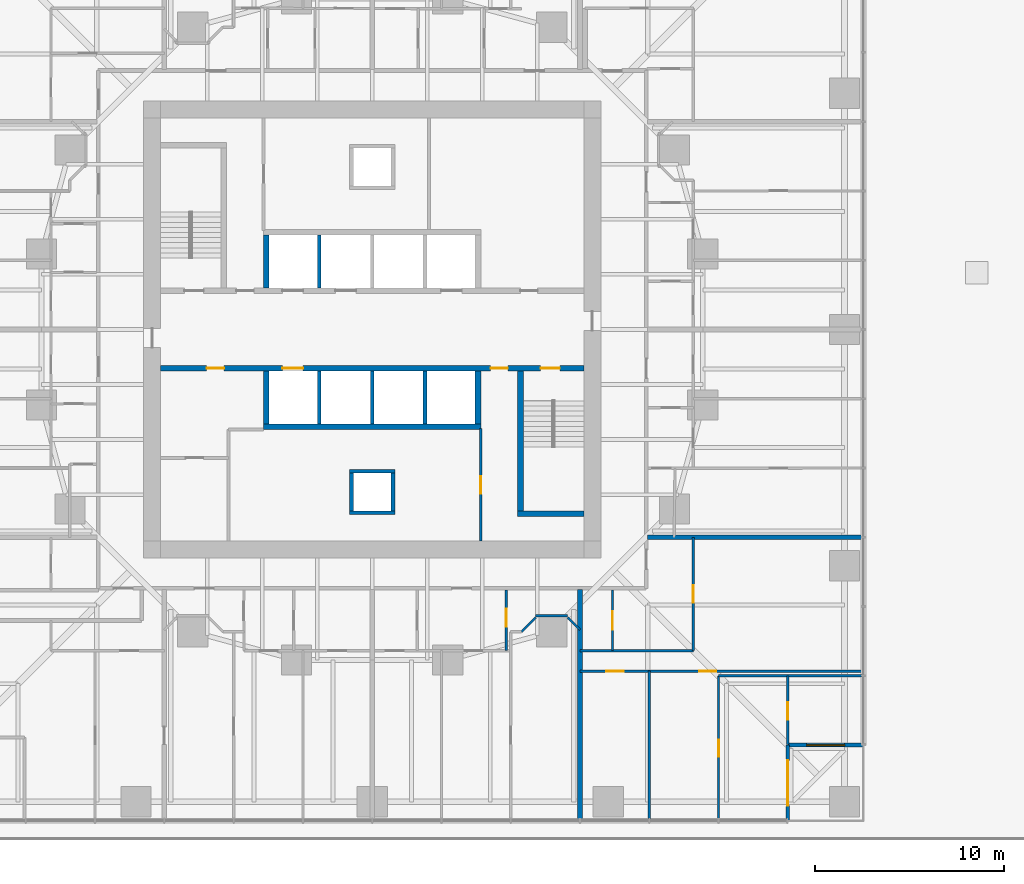
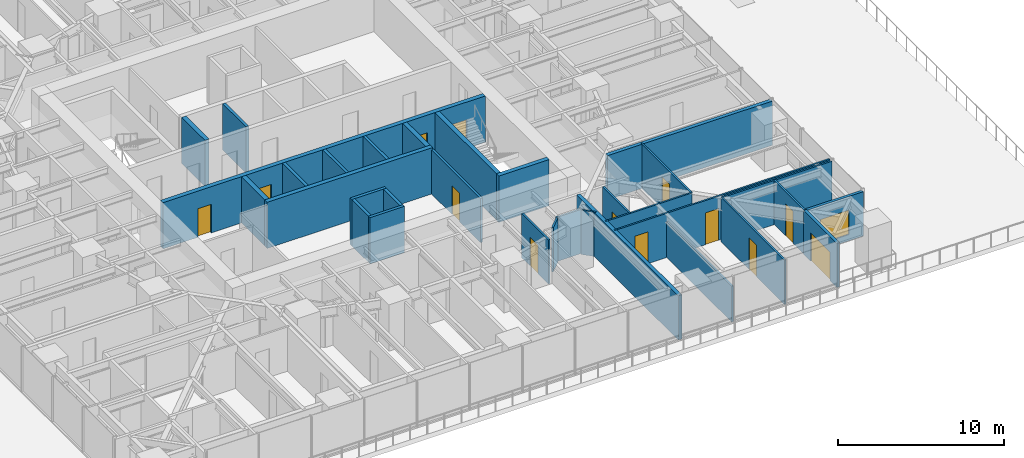
# One storey, part 9 of 15: 32 walls, 13 doors, 1 window, 14 openings.
"""IFC4 building model written with IfcOpenShell, lengths in metres."""

from ifc_helpers import new_model, si_unit, direction, frame, frame_2d, origin, place, context, subcontext, project, spatial, rectangle, extrude, material, layer, layer_set, type_object, element, fill, save


model = new_model("IFC4")

# Units and contexts
model_context = context("Model", 3, precision=1e-05, world=origin(), true_north=direction((0.0, 1.0)))
body_context = subcontext(model_context, "Body", "Model", "MODEL_VIEW")
ifc_project = project(units=[si_unit("LENGTHUNIT", "METRE"), si_unit("AREAUNIT", "SQUARE_METRE"), si_unit("VOLUMEUNIT", "CUBIC_METRE"), si_unit("PLANEANGLEUNIT", "RADIAN"), si_unit("MASSUNIT", "GRAM", prefix="KILO")], contexts=[model_context])

# Site, building, storey
site_placement = place(None, origin())
site = spatial("IfcSite", under=ifc_project, at=site_placement, CompositionType="ELEMENT")
building_placement = place(site_placement, origin())
building = spatial("IfcBuilding", under=site, at=building_placement, Name="Torsade Residences", CompositionType="ELEMENT")
storey_placement = place(building_placement, frame((0.0, 0.0, 15.0)))
storey = spatial("IfcBuildingStorey", under=building, at=storey_placement, Name="L03", CompositionType="ELEMENT", Elevation=15.0)

# Wall, openings, doors
ifc_material_1 = material(Name="Concrete 80 MPa", Category="concrete")
ifc_layer_1 = layer(ifc_material_1, 0.300048828125)
ifc_layer_set_1 = layer_set([ifc_layer_1], Name="Concrete 80 MPa")
wall_type_1 = type_object("IfcWallType", Name="CORE INTERNAL WALL 300", PredefinedType="SHEAR", material=ifc_layer_set_1)
wall_1_placement = place(storey_placement, frame((51.199951171875, 27.949951171875, 0.0), z_axis=(0.0, 0.0, 1.0), x_axis=(-1.0, 0.0, 0.0)))
wall_1 = element("IfcWall", 1, at=wall_1_placement, inside=storey, type_object=wall_type_1, Name="Core wall LS L03", PredefinedType="SHEAR", context=body_context, shape_type="SweptSolid", body=[
    extrude(rectangle(XDim=22.39990234375, YDim=0.300048828125, at=frame_2d((11.199951171875, 0.0))), origin(), (0.0, 0.0, 1.0), 3.39990234375),
])
opening_1_placement = place(wall_1_placement, frame((19.0400390625, 0.0, 0.0)))
opening_1 = element("IfcOpeningElement", 2, at=opening_1_placement, cuts=wall_1, Name="Opening D06", PredefinedType="OPENING", context=body_context, shape_type="SweptSolid", body=[
    extrude(rectangle(XDim=0.919921875, YDim=2.10009765625, at=frame_2d((0.4599609375, 1.050048828125))), frame((0.0, 0.159912109375, 0.0), z_axis=(0.0, -1.0, 0.0), x_axis=(1.0, 0.0, 0.0)), (0.0, 0.0, 1.0), 0.320068359375),
])
opening_2_placement = place(wall_1_placement, frame((1.264892578125, 0.0, 0.0)))
opening_2 = element("IfcOpeningElement", 3, at=opening_2_placement, cuts=wall_1, Name="Opening D03", PredefinedType="OPENING", context=body_context, shape_type="SweptSolid", body=[
    extrude(rectangle(XDim=1.02001953125, YDim=2.10009765625, at=frame_2d((0.510009765625, 1.050048828125))), frame((0.0, 0.159912109375, 0.0), z_axis=(0.0, -1.0, 0.0), x_axis=(1.0, 0.0, 0.0)), (0.0, 0.0, 1.0), 0.320068359375),
])
opening_3_placement = place(wall_1_placement, frame((4.014892578125, 0.0, 0.0)))
opening_3 = element("IfcOpeningElement", 4, at=opening_3_placement, cuts=wall_1, Name="Opening D06", PredefinedType="OPENING", context=body_context, shape_type="SweptSolid", body=[
    extrude(rectangle(XDim=0.919921875, YDim=2.10009765625, at=frame_2d((0.4599609375, 1.050048828125))), frame((0.0, 0.159912109375, 0.0), z_axis=(0.0, -1.0, 0.0), x_axis=(1.0, 0.0, 0.0)), (0.0, 0.0, 1.0), 0.320068359375),
])
opening_4_placement = place(wall_1_placement, frame((14.85009765625, 0.0, 0.0)))
opening_4 = element("IfcOpeningElement", 5, at=opening_4_placement, cuts=wall_1, Name="Opening LD", PredefinedType="OPENING", context=body_context, shape_type="SweptSolid", body=[
    extrude(rectangle(XDim=1.10009765625, YDim=2.10009765625, at=frame_2d((0.550048828125, 1.050048828125))), frame((0.0, 0.159912109375, 0.0), z_axis=(0.0, -1.0, 0.0), x_axis=(1.0, 0.0, 0.0)), (0.0, 0.0, 1.0), 0.320068359375),
])
ifc_material_2 = material(Name="Steel-framed fire door", Category="steel")
door_type_1 = type_object("IfcDoorType", Name="FIRE DOOR 1020", OperationType="NOTDEFINED", PredefinedType="DOOR", material=ifc_material_2)
door_1_placement = place(opening_2_placement, origin())
door_1 = element("IfcDoor", 6, at=door_1_placement, inside=storey, type_object=door_type_1, Name="Exit door to fire-isolated stair ST2 L03", OperationType="SINGLE_SWING_RIGHT", OverallHeight=2.10009765625, OverallWidth=1.02001953125, PredefinedType="DOOR", context=body_context, shape_type="SweptSolid", body=[
    extrude(rectangle(XDim=1.02001953125, YDim=2.10009765625, at=frame_2d((0.510009765625, 1.050048828125))), frame((0.0, 0.02490234375, 0.0), z_axis=(0.0, -1.0, 0.0), x_axis=(1.0, 0.0, 0.0)), (0.0, 0.0, 1.0), 0.050048828125),
])
fill(opening_2, door_1)
ifc_material_3 = material(Name="Steel-framed fire door", Category="steel")
door_type_2 = type_object("IfcDoorType", Name="FIRE DOOR 920", OperationType="NOTDEFINED", PredefinedType="DOOR", material=ifc_material_3)
door_2_placement = place(opening_1_placement, origin())
door_2 = element("IfcDoor", 7, at=door_2_placement, inside=storey, type_object=door_type_2, Name="Door Lift lobby to Cleaner store", OperationType="SINGLE_SWING_LEFT", OverallHeight=2.10009765625, OverallWidth=0.919921875, PredefinedType="DOOR", context=body_context, shape_type="SweptSolid", body=[
    extrude(rectangle(XDim=0.919921875, YDim=2.10009765625, at=frame_2d((0.4599609375, 1.050048828125))), frame((0.0, 0.02490234375, 0.0), z_axis=(0.0, -1.0, 0.0), x_axis=(1.0, 0.0, 0.0)), (0.0, 0.0, 1.0), 0.050048828125),
])
fill(opening_1, door_2)
door_3_placement = place(opening_3_placement, origin())
door_3 = element("IfcDoor", 8, at=door_3_placement, inside=storey, type_object=door_type_2, Name="Door Lift lobby to Security and data store", OperationType="SINGLE_SWING_RIGHT", OverallHeight=2.10009765625, OverallWidth=0.919921875, PredefinedType="DOOR", context=body_context, shape_type="SweptSolid", body=[
    extrude(rectangle(XDim=0.919921875, YDim=2.10009765625, at=frame_2d((0.4599609375, 1.050048828125))), frame((0.0, 0.02490234375, 0.0), z_axis=(0.0, -1.0, 0.0), x_axis=(1.0, 0.0, 0.0)), (0.0, 0.0, 1.0), 0.050048828125),
])
fill(opening_3, door_3)
ifc_material_4 = material(Name="Stainless steel lift landing door", Category="steel")
door_type_3 = type_object("IfcDoorType", Name="LIFT LANDING DOOR 1100", OperationType="SLIDING_TO_LEFT", PredefinedType="DOOR", material=ifc_material_4)
door_4_placement = place(opening_4_placement, origin())
door_4 = element("IfcDoor", 9, at=door_4_placement, inside=storey, type_object=door_type_3, Name="Lift FL2 landing door L03", OperationType="SLIDING_TO_LEFT", OverallHeight=2.10009765625, OverallWidth=1.10009765625, PredefinedType="DOOR", context=body_context, shape_type="SweptSolid", body=[
    extrude(rectangle(XDim=1.10009765625, YDim=2.10009765625, at=frame_2d((0.550048828125, 1.050048828125))), frame((0.0, 0.02490234375, 0.0), z_axis=(0.0, -1.0, 0.0), x_axis=(1.0, 0.0, 0.0)), (0.0, 0.0, 1.0), 0.050048828125),
])
fill(opening_4, door_4)

# Walls
wall_2_placement = place(storey_placement, frame((45.75, 24.85009765625, 0.0), z_axis=(0.0, 0.0, 1.0), x_axis=(-1.0, 0.0, 0.0)))
element("IfcWall", 10, at=wall_2_placement, inside=storey, type_object=wall_type_1, Name="Core wall BS L03", PredefinedType="SHEAR", context=body_context, shape_type="SweptSolid", body=[
    extrude(rectangle(XDim=11.5, YDim=0.300048828125, at=frame_2d((5.75, 0.0))), origin(), (0.0, 0.0, 1.0), 3.39990234375),
])
for number, where, z_axis, x_axis, name in (
    (11, (34.39990234375, 32.199951171875, 0.0), (0.0, 0.0, 1.0), (0.0, 1.0, 0.0), "Core wall DN0 L03"),
    (12, (45.60009765625, 27.800048828125, 0.0), (0.0, 0.0, 1.0), (0.0, -1.0, 0.0), "Core wall DS0 L03"),
    (13, (34.39990234375, 27.800048828125, 0.0), (0.0, 0.0, 1.0), (0.0, -1.0, 0.0), "Core wall DS4 L03"),
):
    element("IfcWall", number, at=place(storey_placement, frame(where, z_axis=z_axis, x_axis=x_axis)), inside=storey, type_object=wall_type_1, Name=name, PredefinedType="SHEAR", context=body_context, shape_type="SweptSolid", body=[
        extrude(rectangle(XDim=2.800048828125, YDim=0.300048828125, at=frame_2d((1.39990234375, 0.0))), origin(), (0.0, 0.0, 1.0), 3.39990234375),
    ])
wall_3_placement = place(storey_placement, frame((47.85009765625, 27.800048828125, 0.0), z_axis=(0.0, 0.0, 1.0), x_axis=(0.0, -1.0, 0.0)))
element("IfcWall", 14, at=wall_3_placement, inside=storey, type_object=wall_type_1, Name="Core wall ST2W L03", PredefinedType="SHEAR", context=body_context, shape_type="SweptSolid", body=[
    extrude(rectangle(XDim=7.699951171875, YDim=0.300048828125, at=frame_2d((3.85009765625, 0.0))), origin(), (0.0, 0.0, 1.0), 3.39990234375),
])
wall_4_placement = place(storey_placement, frame((51.199951171875, 20.25, 0.0), z_axis=(0.0, 0.0, 1.0), x_axis=(-1.0, 0.0, 0.0)))
element("IfcWall", 15, at=wall_4_placement, inside=storey, type_object=wall_type_1, Name="Core wall ST2S L03", PredefinedType="SHEAR", context=body_context, shape_type="SweptSolid", body=[
    extrude(rectangle(XDim=3.5, YDim=0.300048828125, at=frame_2d((1.75, 0.0))), origin(), (0.0, 0.0, 1.0), 3.39990234375),
])
ifc_material_5 = material(Name="Reinforced blockwork", Category="masonry")
ifc_layer_2 = layer(ifc_material_5, 0.199951171875)
ifc_layer_set_2 = layer_set([ifc_layer_2], Name="Reinforced blockwork")
wall_type_2 = type_object("IfcWallType", Name="LIFT SHAFT DIVIDING WALL 200", PredefinedType="SOLIDWALL", material=ifc_layer_set_2)
for number, where, z_axis, x_axis, name in (
    (16, (37.199951171875, 32.199951171875, 0.0), (0.0, 0.0, 1.0), (0.0, 1.0, 0.0), "Core wall DN1 L03"),
    (17, (42.800048828125, 27.800048828125, 0.0), (0.0, 0.0, 1.0), (0.0, -1.0, 0.0), "Core wall DS1 L03"),
    (18, (40.0, 27.800048828125, 0.0), (0.0, 0.0, 1.0), (0.0, -1.0, 0.0), "Core wall DS2 L03"),
    (19, (37.199951171875, 27.800048828125, 0.0), (0.0, 0.0, 1.0), (0.0, -1.0, 0.0), "Core wall DS3 L03"),
):
    element("IfcWall", number, at=place(storey_placement, frame(where, z_axis=z_axis, x_axis=x_axis)), inside=storey, type_object=wall_type_2, Name=name, PredefinedType="SOLIDWALL", context=body_context, shape_type="SweptSolid", body=[
        extrude(rectangle(XDim=2.800048828125, YDim=0.199951171875, at=frame_2d((1.39990234375, 0.0))), origin(), (0.0, 0.0, 1.0), 3.39990234375),
    ])

# Wall, opening, door
ifc_material_6 = material(Name="Plasterboard on steel stud", Category="steel")
ifc_layer_3 = layer(ifc_material_6, 0.1201171875)
ifc_layer_set_3 = layer_set([ifc_layer_3], Name="Plasterboard on steel stud")
wall_type_3 = type_object("IfcWallType", Name="PARTITION 120", PredefinedType="PARTITIONING", material=ifc_layer_set_3)
wall_5_placement = place(storey_placement, frame((47.09765625, 16.199951171875, 0.0), z_axis=(0.0, 0.0, 1.0), x_axis=(0.0, -1.0, 0.0)))
wall_5 = element("IfcWall", 20, at=wall_5_placement, inside=storey, type_object=wall_type_3, Name="Partition L03", PredefinedType="PARTITIONING", context=body_context, shape_type="SweptSolid", body=[
    extrude(rectangle(XDim=3.199951171875, YDim=0.1201171875, at=frame_2d((1.60009765625, 0.0))), origin(), (0.0, 0.0, 1.0), 3.25),
])
opening_5_placement = place(wall_5_placement, frame((0.969970703125, 0.0, 0.0)))
opening_5 = element("IfcOpeningElement", 21, at=opening_5_placement, cuts=wall_5, Name="Opening D05", PredefinedType="OPENING", context=body_context, shape_type="SweptSolid", body=[
    extrude(rectangle(XDim=0.9599609375, YDim=2.10009765625, at=frame_2d((0.47998046875, 1.050048828125))), frame((0.0, 0.070068359375, 0.0), z_axis=(0.0, -1.0, 0.0), x_axis=(1.0, 0.0, 0.0)), (0.0, 0.0, 1.0), 0.14013671875),
])
ifc_material_7 = material(Name="Hollow-core timber door in a steel cavity frame", Category="steel")
door_type_4 = type_object("IfcDoorType", Name="BATHROOM CAVITY SLIDING DOOR 960", OperationType="SLIDING_TO_LEFT", PredefinedType="DOOR", material=ifc_material_7)
door_5_placement = place(opening_5_placement, origin())
door_5 = element("IfcDoor", 22, at=door_5_placement, inside=storey, type_object=door_type_4, Name="Door Kitchen and dining to Bathroom", OperationType="SLIDING_TO_LEFT", OverallHeight=2.10009765625, OverallWidth=0.9599609375, PredefinedType="DOOR", context=body_context, shape_type="SweptSolid", body=[
    extrude(rectangle(XDim=0.9599609375, YDim=2.10009765625, at=frame_2d((0.47998046875, 1.050048828125))), frame((0.0, 0.02490234375, 0.0), z_axis=(0.0, -1.0, 0.0), x_axis=(1.0, 0.0, 0.0)), (0.0, 0.0, 1.0), 0.050048828125),
])
fill(opening_5, door_5)

# Walls
wall_6_placement = place(storey_placement, frame((51.0, 14.10009765625, 0.0), z_axis=(0.0, 0.0, 1.0), x_axis=(-0.707106781187, 0.707106781187, 0.0)))
element("IfcWall", 23, at=wall_6_placement, inside=storey, type_object=wall_type_3, Name="Partition L03", PredefinedType="PARTITIONING", context=body_context, shape_type="SweptSolid", body=[
    extrude(rectangle(XDim=0.919189453125, YDim=0.1201171875, at=frame_2d((0.45947265625, 0.0))), origin(), (0.0, 0.0, 1.0), 3.25),
])
wall_7_placement = place(storey_placement, frame((50.35009765625, 14.85009765625, 0.0), z_axis=(0.0, 0.0, 1.0), x_axis=(-1.0, 0.0, 0.0)))
element("IfcWall", 24, at=wall_7_placement, inside=storey, type_object=wall_type_3, Name="Partition L03", PredefinedType="PARTITIONING", context=body_context, shape_type="SweptSolid", body=[
    extrude(rectangle(XDim=1.7001953125, YDim=0.1201171875, at=frame_2d((0.85009765625, 0.0))), origin(), (0.0, 0.0, 1.0), 3.25),
])
wall_8_placement = place(storey_placement, frame((48.64990234375, 14.75, 0.0), z_axis=(0.0, 0.0, 1.0), x_axis=(-0.707106781187, -0.707106781187, 0.0)))
element("IfcWall", 25, at=wall_8_placement, inside=storey, type_object=wall_type_3, Name="Partition L03", PredefinedType="PARTITIONING", context=body_context, shape_type="SweptSolid", body=[
    extrude(rectangle(XDim=1.060546875, YDim=0.1201171875, at=frame_2d((0.5302734375, 0.0))), origin(), (0.0, 0.0, 1.0), 3.25),
])

# Wall, opening, door
wall_9_placement = place(storey_placement, frame((52.718994140625, 13.0, 0.0), z_axis=(0.0, 0.0, 1.0), x_axis=(0.0, 1.0, 0.0)))
wall_9 = element("IfcWall", 26, at=wall_9_placement, inside=storey, type_object=wall_type_3, Name="Partition L03", PredefinedType="PARTITIONING", context=body_context, shape_type="SweptSolid", body=[
    extrude(rectangle(XDim=3.199951171875, YDim=0.1201171875, at=frame_2d((1.60009765625, 0.0))), origin(), (0.0, 0.0, 1.0), 3.25),
])
opening_6_placement = place(wall_9_placement, frame((1.119873046875, 0.0, 0.0)))
opening_6 = element("IfcOpeningElement", 27, at=opening_6_placement, cuts=wall_9, Name="Opening D05", PredefinedType="OPENING", context=body_context, shape_type="SweptSolid", body=[
    extrude(rectangle(XDim=0.9599609375, YDim=2.10009765625, at=frame_2d((0.47998046875, 1.050048828125))), frame((0.0, 0.070068359375, 0.0), z_axis=(0.0, -1.0, 0.0), x_axis=(1.0, 0.0, 0.0)), (0.0, 0.0, 1.0), 0.14013671875),
])
door_6_placement = place(opening_6_placement, origin())
door_6 = element("IfcDoor", 28, at=door_6_placement, inside=storey, type_object=door_type_4, Name="Door Kitchen and dining to Bathroom", OperationType="SLIDING_TO_LEFT", OverallHeight=2.10009765625, OverallWidth=0.9599609375, PredefinedType="DOOR", context=body_context, shape_type="SweptSolid", body=[
    extrude(rectangle(XDim=0.9599609375, YDim=2.10009765625, at=frame_2d((0.47998046875, 1.050048828125))), frame((0.0, 0.02490234375, 0.0), z_axis=(0.0, -1.0, 0.0), x_axis=(1.0, 0.0, 0.0)), (0.0, 0.0, 1.0), 0.050048828125),
])
fill(opening_6, door_6)

wall_10_placement = place(storey_placement, frame((57.0, 19.0, 0.0), z_axis=(0.0, 0.0, 1.0), x_axis=(0.0, -1.0, 0.0)))
wall_10 = element("IfcWall", 29, at=wall_10_placement, inside=storey, type_object=wall_type_3, Name="Partition L03", PredefinedType="PARTITIONING", context=body_context, shape_type="SweptSolid", body=[
    extrude(rectangle(XDim=6.0, YDim=0.1201171875, at=frame_2d((3.0, 0.0))), origin(), (0.0, 0.0, 1.0), 3.25),
])
opening_7_placement = place(wall_10_placement, frame((2.5400390625, 0.0, 0.0)))
opening_7 = element("IfcOpeningElement", 30, at=opening_7_placement, cuts=wall_10, Name="Opening D02", PredefinedType="OPENING", context=body_context, shape_type="SweptSolid", body=[
    extrude(rectangle(XDim=0.919921875, YDim=2.340087890625, at=frame_2d((0.4599609375, 1.169921875))), frame((0.0, 0.070068359375, 0.0), z_axis=(0.0, -1.0, 0.0), x_axis=(1.0, 0.0, 0.0)), (0.0, 0.0, 1.0), 0.14013671875),
])
ifc_material_8 = material(Name="Hollow-core timber door", Category="wood")
door_type_5 = type_object("IfcDoorType", Name="INTERNAL DOOR 920x2340", OperationType="NOTDEFINED", PredefinedType="DOOR", material=ifc_material_8)
door_7_placement = place(opening_7_placement, origin())
door_7 = element("IfcDoor", 31, at=door_7_placement, inside=storey, type_object=door_type_5, Name="Door Kitchen and dining to Living room", OperationType="SINGLE_SWING_LEFT", OverallHeight=2.340087890625, OverallWidth=0.919921875, PredefinedType="DOOR", context=body_context, shape_type="SweptSolid", body=[
    extrude(rectangle(XDim=0.919921875, YDim=2.340087890625, at=frame_2d((0.4599609375, 1.169921875))), frame((0.0, 0.02490234375, 0.0), z_axis=(0.0, -1.0, 0.0), x_axis=(1.0, 0.0, 0.0)), (0.0, 0.0, 1.0), 0.050048828125),
])
fill(opening_7, door_7)

# Wall
wall_11_placement = place(storey_placement, frame((57.0, 13.0, 0.0), z_axis=(0.0, 0.0, 1.0), x_axis=(-1.0, 0.0, 0.0)))
element("IfcWall", 32, at=wall_11_placement, inside=storey, type_object=wall_type_3, Name="Partition L03", PredefinedType="PARTITIONING", context=body_context, shape_type="SweptSolid", body=[
    extrude(rectangle(XDim=6.0, YDim=0.1201171875, at=frame_2d((3.0, 0.0))), origin(), (0.0, 0.0, 1.0), 3.25),
])

# Wall, openings, doors
wall_12_placement = place(storey_placement, frame((65.9599609375, 11.910888671875, 0.0), z_axis=(0.0, 0.0, 1.0), x_axis=(-1.0, 0.0, 0.0)))
wall_12 = element("IfcWall", 33, at=wall_12_placement, inside=storey, type_object=wall_type_3, Name="Partition L03", PredefinedType="PARTITIONING", context=body_context, shape_type="SweptSolid", body=[
    extrude(rectangle(XDim=14.9599609375, YDim=0.1201171875, at=frame_2d((7.47998046875, 0.0))), origin(), (0.0, 0.0, 1.0), 3.25),
])
opening_8_placement = place(wall_12_placement, frame((7.74169921875, 0.0, 0.0)))
opening_8 = element("IfcOpeningElement", 34, at=opening_8_placement, cuts=wall_12, Name="Opening D02", PredefinedType="OPENING", context=body_context, shape_type="SweptSolid", body=[
    extrude(rectangle(XDim=0.919921875, YDim=2.340087890625, at=frame_2d((0.4599609375, 1.169921875))), frame((0.0, 0.070068359375, 0.0), z_axis=(0.0, -1.0, 0.0), x_axis=(1.0, 0.0, 0.0)), (0.0, 0.0, 1.0), 0.14013671875),
])
opening_9_placement = place(wall_12_placement, frame((12.6416015625, 0.0, 0.0)))
opening_9 = element("IfcOpeningElement", 35, at=opening_9_placement, cuts=wall_12, Name="Opening D02", PredefinedType="OPENING", context=body_context, shape_type="SweptSolid", body=[
    extrude(rectangle(XDim=0.919921875, YDim=2.340087890625, at=frame_2d((0.4599609375, 1.169921875))), frame((0.0, 0.070068359375, 0.0), z_axis=(0.0, -1.0, 0.0), x_axis=(1.0, 0.0, 0.0)), (0.0, 0.0, 1.0), 0.14013671875),
])
door_8_placement = place(opening_8_placement, origin())
door_8 = element("IfcDoor", 36, at=door_8_placement, inside=storey, type_object=door_type_5, Name="Door Living room to Bedroom 1", OperationType="SINGLE_SWING_RIGHT", OverallHeight=2.340087890625, OverallWidth=0.919921875, PredefinedType="DOOR", context=body_context, shape_type="SweptSolid", body=[
    extrude(rectangle(XDim=0.919921875, YDim=2.340087890625, at=frame_2d((0.4599609375, 1.169921875))), frame((0.0, 0.02490234375, 0.0), z_axis=(0.0, -1.0, 0.0), x_axis=(1.0, 0.0, 0.0)), (0.0, 0.0, 1.0), 0.050048828125),
])
fill(opening_8, door_8)
door_9_placement = place(opening_9_placement, origin())
door_9 = element("IfcDoor", 37, at=door_9_placement, inside=storey, type_object=door_type_5, Name="Door Living room to Bedroom 2", OperationType="SINGLE_SWING_LEFT", OverallHeight=2.340087890625, OverallWidth=0.919921875, PredefinedType="DOOR", context=body_context, shape_type="SweptSolid", body=[
    extrude(rectangle(XDim=0.919921875, YDim=2.340087890625, at=frame_2d((0.4599609375, 1.169921875))), frame((0.0, 0.02490234375, 0.0), z_axis=(0.0, -1.0, 0.0), x_axis=(1.0, 0.0, 0.0)), (0.0, 0.0, 1.0), 0.050048828125),
])
fill(opening_9, door_9)

# Walls
wall_13_placement = place(storey_placement, frame((54.666748046875, 4.0400390625, 0.0), z_axis=(0.0, 0.0, 1.0), x_axis=(0.0, 1.0, 0.0)))
element("IfcWall", 38, at=wall_13_placement, inside=storey, type_object=wall_type_3, Name="Partition L03", PredefinedType="PARTITIONING", context=body_context, shape_type="SweptSolid", body=[
    extrude(rectangle(XDim=7.870849609375, YDim=0.1201171875, at=frame_2d((3.935546875, 0.0))), origin(), (0.0, 0.0, 1.0), 2.636962890625),
])
wall_14_placement = place(storey_placement, frame((65.9599609375, 11.666748046875, 0.0), z_axis=(0.0, 0.0, 1.0), x_axis=(-1.0, 0.0, 0.0)))
element("IfcWall", 39, at=wall_14_placement, inside=storey, type_object=wall_type_3, Name="Partition L03", PredefinedType="PARTITIONING", context=body_context, shape_type="SweptSolid", body=[
    extrude(rectangle(XDim=7.626708984375, YDim=0.1201171875, at=frame_2d((3.8134765625, 0.0))), origin(), (0.0, 0.0, 1.0), 3.25),
])

# Wall, opening, door
wall_15_placement = place(storey_placement, frame((58.333251953125, 11.666748046875, 0.0), z_axis=(0.0, 0.0, 1.0), x_axis=(0.0, -1.0, 0.0)))
wall_15 = element("IfcWall", 40, at=wall_15_placement, inside=storey, type_object=wall_type_3, Name="Partition L03", PredefinedType="PARTITIONING", context=body_context, shape_type="SweptSolid", body=[
    extrude(rectangle(XDim=7.626708984375, YDim=0.1201171875, at=frame_2d((3.8134765625, 0.0))), origin(), (0.0, 0.0, 1.0), 3.25),
])
opening_10_placement = place(wall_15_placement, frame((3.373291015625, 0.0, 0.0)))
opening_10 = element("IfcOpeningElement", 41, at=opening_10_placement, cuts=wall_15, Name="Opening D02", PredefinedType="OPENING", context=body_context, shape_type="SweptSolid", body=[
    extrude(rectangle(XDim=0.919921875, YDim=2.340087890625, at=frame_2d((0.4599609375, 1.169921875))), frame((0.0, 0.070068359375, 0.0), z_axis=(0.0, -1.0, 0.0), x_axis=(1.0, 0.0, 0.0)), (0.0, 0.0, 1.0), 0.14013671875),
])
door_10_placement = place(opening_10_placement, origin())
door_10 = element("IfcDoor", 42, at=door_10_placement, inside=storey, type_object=door_type_5, Name="Door Bedroom 1 to Study", OperationType="SINGLE_SWING_RIGHT", OverallHeight=2.340087890625, OverallWidth=0.919921875, PredefinedType="DOOR", context=body_context, shape_type="SweptSolid", body=[
    extrude(rectangle(XDim=0.919921875, YDim=2.340087890625, at=frame_2d((0.4599609375, 1.169921875))), frame((0.0, 0.02490234375, 0.0), z_axis=(0.0, -1.0, 0.0), x_axis=(1.0, 0.0, 0.0)), (0.0, 0.0, 1.0), 0.050048828125),
])
fill(opening_10, door_10)

wall_16_placement = place(storey_placement, frame((62.0, 11.666748046875, 0.0), z_axis=(0.0, 0.0, 1.0), x_axis=(0.0, -1.0, 0.0)))
wall_16 = element("IfcWall", 43, at=wall_16_placement, inside=storey, type_object=wall_type_3, Name="Partition L03", PredefinedType="PARTITIONING", context=body_context, shape_type="SweptSolid", body=[
    extrude(rectangle(XDim=3.626708984375, YDim=0.1201171875, at=frame_2d((1.8134765625, 0.0))), origin(), (0.0, 0.0, 1.0), 3.25),
])
opening_11_placement = place(wall_16_placement, frame((1.3984375, 0.0, 0.0)))
opening_11 = element("IfcOpeningElement", 44, at=opening_11_placement, cuts=wall_16, Name="Opening D02", PredefinedType="OPENING", context=body_context, shape_type="SweptSolid", body=[
    extrude(rectangle(XDim=0.919921875, YDim=2.340087890625, at=frame_2d((0.4599609375, 1.169921875))), frame((0.0, 0.070068359375, 0.0), z_axis=(0.0, -1.0, 0.0), x_axis=(1.0, 0.0, 0.0)), (0.0, 0.0, 1.0), 0.14013671875),
])
door_11_placement = place(opening_11_placement, origin())
door_11 = element("IfcDoor", 45, at=door_11_placement, inside=storey, type_object=door_type_5, Name="Door Study to Family room", OperationType="SINGLE_SWING_LEFT", OverallHeight=2.340087890625, OverallWidth=0.919921875, PredefinedType="DOOR", context=body_context, shape_type="SweptSolid", body=[
    extrude(rectangle(XDim=0.919921875, YDim=2.340087890625, at=frame_2d((0.4599609375, 1.169921875))), frame((0.0, 0.02490234375, 0.0), z_axis=(0.0, -1.0, 0.0), x_axis=(1.0, 0.0, 0.0)), (0.0, 0.0, 1.0), 0.050048828125),
])
fill(opening_11, door_11)

# Walls
ifc_material_9 = material(Name="Masonry-lined stud party wall", Category="masonry")
ifc_layer_4 = layer(ifc_material_9, 0.25)
ifc_layer_set_4 = layer_set([ifc_layer_4], Name="Masonry-lined stud party wall")
wall_type_4 = type_object("IfcWallType", Name="PARTY WALL 250", PredefinedType="PARTITIONING", material=ifc_layer_set_4)
wall_17_placement = place(storey_placement, frame((51.0, 4.0, 0.0), z_axis=(0.0, 0.0, 1.0), x_axis=(0.0, 1.0, 0.0)))
element("IfcWall", 46, at=wall_17_placement, inside=storey, type_object=wall_type_4, Name="Party wall L03", PredefinedType="PARTITIONING", context=body_context, shape_type="SweptSolid", body=[
    extrude(rectangle(XDim=12.239990234375, YDim=0.25, at=frame_2d((6.1201171875, 0.0))), origin(), (0.0, 0.0, 1.0), 3.25),
])
wall_18_placement = place(storey_placement, frame((66.0, 19.0, 0.0), z_axis=(0.0, 0.0, 1.0), x_axis=(-1.0, 0.0, 0.0)))
element("IfcWall", 47, at=wall_18_placement, inside=storey, type_object=wall_type_4, Name="Party wall L03", PredefinedType="PARTITIONING", context=body_context, shape_type="SweptSolid", body=[
    extrude(rectangle(XDim=11.43994140625, YDim=0.25, at=frame_2d((5.719970703125, 0.0))), origin(), (0.0, 0.0, 1.0), 3.25),
])
ifc_material_10 = material(Name="Reinforced blockwork", Category="masonry")
ifc_layer_5 = layer(ifc_material_10, 0.199951171875)
ifc_layer_set_5 = layer_set([ifc_layer_5], Name="Reinforced blockwork")
wall_type_5 = type_object("IfcWallType", Name="RISER SHAFT WALL 200", PredefinedType="SOLIDWALL", material=ifc_layer_set_5)
for number, where, z_axis, x_axis, name in (
    (48, (38.89990234375, 22.39990234375, 0.0), (0.0, 0.0, 1.0), (0.0, -1.0, 0.0), "Core wall RS2a L03"),
    (49, (41.10009765625, 22.39990234375, 0.0), (0.0, 0.0, 1.0), (0.0, -1.0, 0.0), "Core wall RS2b L03"),
):
    element("IfcWall", number, at=place(storey_placement, frame(where, z_axis=z_axis, x_axis=x_axis)), inside=storey, type_object=wall_type_5, Name=name, PredefinedType="SOLIDWALL", context=body_context, shape_type="SweptSolid", body=[
        extrude(rectangle(XDim=2.0, YDim=0.199951171875, at=frame_2d((1.0, 0.0))), origin(), (0.0, 0.0, 1.0), 3.39990234375),
    ])
for number, where, z_axis, x_axis, name in (
    (50, (38.800048828125, 22.5, 0.0), (0.0, 0.0, 1.0), (1.0, 0.0, 0.0), "Core wall RS2c L03"),
    (51, (38.800048828125, 20.300048828125, 0.0), (0.0, 0.0, 1.0), (1.0, 0.0, 0.0), "Core wall RS2d L03"),
):
    element("IfcWall", number, at=place(storey_placement, frame(where, z_axis=z_axis, x_axis=x_axis)), inside=storey, type_object=wall_type_5, Name=name, PredefinedType="SOLIDWALL", context=body_context, shape_type="SweptSolid", body=[
        extrude(rectangle(XDim=2.39990234375, YDim=0.199951171875, at=frame_2d((1.199951171875, 0.0))), origin(), (0.0, 0.0, 1.0), 3.39990234375),
    ])

# Wall, opening, door
ifc_material_11 = material(Name="Reinforced blockwork", Category="masonry")
ifc_layer_6 = layer(ifc_material_11, 0.14990234375)
ifc_layer_set_6 = layer_set([ifc_layer_6], Name="Reinforced blockwork")
wall_type_6 = type_object("IfcWallType", Name="SERVICE ROOM WALL 150", PredefinedType="SOLIDWALL", material=ifc_layer_set_6)
wall_19_placement = place(storey_placement, frame((45.75, 18.800048828125, 0.0), z_axis=(0.0, 0.0, 1.0), x_axis=(0.0, 1.0, 0.0)))
wall_19 = element("IfcWall", 52, at=wall_19_placement, inside=storey, type_object=wall_type_6, Name="Service room wall L03", PredefinedType="SOLIDWALL", context=body_context, shape_type="SweptSolid", body=[
    extrude(rectangle(XDim=5.949951171875, YDim=0.14990234375, at=frame_2d((2.97509765625, 0.0))), origin(), (0.0, 0.0, 1.0), 3.25),
])
opening_12_placement = place(wall_19_placement, frame((2.514892578125, 0.0, 0.0)))
opening_12 = element("IfcOpeningElement", 53, at=opening_12_placement, cuts=wall_19, Name="Opening D06", PredefinedType="OPENING", context=body_context, shape_type="SweptSolid", body=[
    extrude(rectangle(XDim=0.919921875, YDim=2.10009765625, at=frame_2d((0.4599609375, 1.050048828125))), frame((0.0, 0.0849609375, 0.0), z_axis=(0.0, -1.0, 0.0), x_axis=(1.0, 0.0, 0.0)), (0.0, 0.0, 1.0), 0.169921875),
])
door_12_placement = place(opening_12_placement, origin())
door_12 = element("IfcDoor", 54, at=door_12_placement, inside=storey, type_object=door_type_2, Name="Door Security and data store to Communications riser room", OperationType="SINGLE_SWING_LEFT", OverallHeight=2.10009765625, OverallWidth=0.919921875, PredefinedType="DOOR", context=body_context, shape_type="SweptSolid", body=[
    extrude(rectangle(XDim=0.919921875, YDim=2.10009765625, at=frame_2d((0.4599609375, 1.050048828125))), frame((0.0, 0.02490234375, 0.0), z_axis=(0.0, -1.0, 0.0), x_axis=(1.0, 0.0, 0.0)), (0.0, 0.0, 1.0), 0.050048828125),
])
fill(opening_12, door_12)

ifc_material_12 = material(Name="Stone-faced precast concrete 40 MPa panel", Category="masonry")
ifc_layer_7 = layer(ifc_material_12, 0.199951171875)
ifc_layer_set_7 = layer_set([ifc_layer_7], Name="Stone-faced precast concrete 40 MPa panel")
wall_type_7 = type_object("IfcWallType", Name="TERRACE WALL 200", PredefinedType="SOLIDWALL", material=ifc_layer_set_7)
wall_20_placement = place(storey_placement, frame((62.0, 4.0, 0.0), z_axis=(0.0, 0.0, 1.0), x_axis=(0.0, 1.0, 0.0)))
wall_20 = element("IfcWall", 55, at=wall_20_placement, inside=storey, type_object=wall_type_7, Name="Terrace wall L03 2", PredefinedType="SOLIDWALL", context=body_context, shape_type="SweptSolid", body=[
    extrude(rectangle(XDim=4.0, YDim=0.199951171875, at=frame_2d((2.0, 0.0))), origin(), (0.0, 0.0, 1.0), 3.25),
])
opening_13_placement = place(wall_20_placement, frame((0.800048828125, 0.0, 0.0)))
opening_13 = element("IfcOpeningElement", 56, at=opening_13_placement, cuts=wall_20, Name="Opening D10A", PredefinedType="OPENING", context=body_context, shape_type="SweptSolid", body=[
    extrude(rectangle(XDim=2.39990234375, YDim=2.10009765625, at=frame_2d((1.199951171875, 1.050048828125))), frame((0.0, 0.10986328125, 0.0), z_axis=(0.0, -1.0, 0.0), x_axis=(1.0, 0.0, 0.0)), (0.0, 0.0, 1.0), 0.219970703125),
])
ifc_material_13 = material(Name="Aluminium-framed glass door", Category="aluminium")
door_type_6 = type_object("IfcDoorType", Name="TERRACE SLIDING DOOR 2400x2100", OperationType="SLIDING_TO_LEFT", PredefinedType="DOOR", material=ifc_material_13)
door_13_placement = place(opening_13_placement, origin())
door_13 = element("IfcDoor", 57, at=door_13_placement, inside=storey, type_object=door_type_6, Name="Terrace door L03 2", OperationType="SLIDING_TO_LEFT", OverallHeight=2.10009765625, OverallWidth=2.39990234375, PredefinedType="DOOR", context=body_context, shape_type="SweptSolid", body=[
    extrude(rectangle(XDim=2.39990234375, YDim=2.10009765625, at=frame_2d((1.199951171875, 1.050048828125))), frame((0.0, 0.02490234375, 0.0), z_axis=(0.0, -1.0, 0.0), x_axis=(1.0, 0.0, 0.0)), (0.0, 0.0, 1.0), 0.050048828125),
])
fill(opening_13, door_13)

# Wall, opening, window
wall_21_placement = place(storey_placement, frame((62.0, 8.0, 0.0), z_axis=(0.0, 0.0, 1.0), x_axis=(1.0, 0.0, 0.0)))
wall_21 = element("IfcWall", 58, at=wall_21_placement, inside=storey, type_object=wall_type_7, Name="Terrace wall L03 3", PredefinedType="SOLIDWALL", context=body_context, shape_type="SweptSolid", body=[
    extrude(rectangle(XDim=4.0, YDim=0.199951171875, at=frame_2d((2.0, 0.0))), origin(), (0.0, 0.0, 1.0), 3.25),
])
opening_14_placement = place(wall_21_placement, frame((1.0, 0.0, 0.449951171875)))
opening_14 = element("IfcOpeningElement", 59, at=opening_14_placement, cuts=wall_21, Name="Opening W1B", PredefinedType="OPENING", context=body_context, shape_type="SweptSolid", body=[
    extrude(rectangle(XDim=2.0, YDim=1.800048828125, at=frame_2d((1.0, 0.89990234375))), frame((0.0, 0.10986328125, 0.0), z_axis=(0.0, -1.0, 0.0), x_axis=(1.0, 0.0, 0.0)), (0.0, 0.0, 1.0), 0.219970703125),
])
ifc_material_14 = material(Name="Aluminium-framed glass window", Category="aluminium")
window_type = type_object("IfcWindowType", Name="TERRACE WINDOW 2000x1800", PartitioningType="SINGLE_PANEL", PredefinedType="WINDOW", material=ifc_material_14)
window_placement = place(opening_14_placement, origin())
window = element("IfcWindow", 60, at=window_placement, inside=storey, type_object=window_type, Name="Terrace window L03 3", OverallHeight=1.800048828125, OverallWidth=2.0, PartitioningType="SINGLE_PANEL", PredefinedType="WINDOW", context=body_context, shape_type="SweptSolid", body=[
    extrude(rectangle(XDim=2.0, YDim=1.800048828125, at=frame_2d((1.0, 0.89990234375))), frame((0.0, 0.030029296875, 0.0), z_axis=(0.0, -1.0, 0.0), x_axis=(1.0, 0.0, 0.0)), (0.0, 0.0, 1.0), 0.06005859375),
])
fill(opening_14, window)

save(model, "model.ifc")
